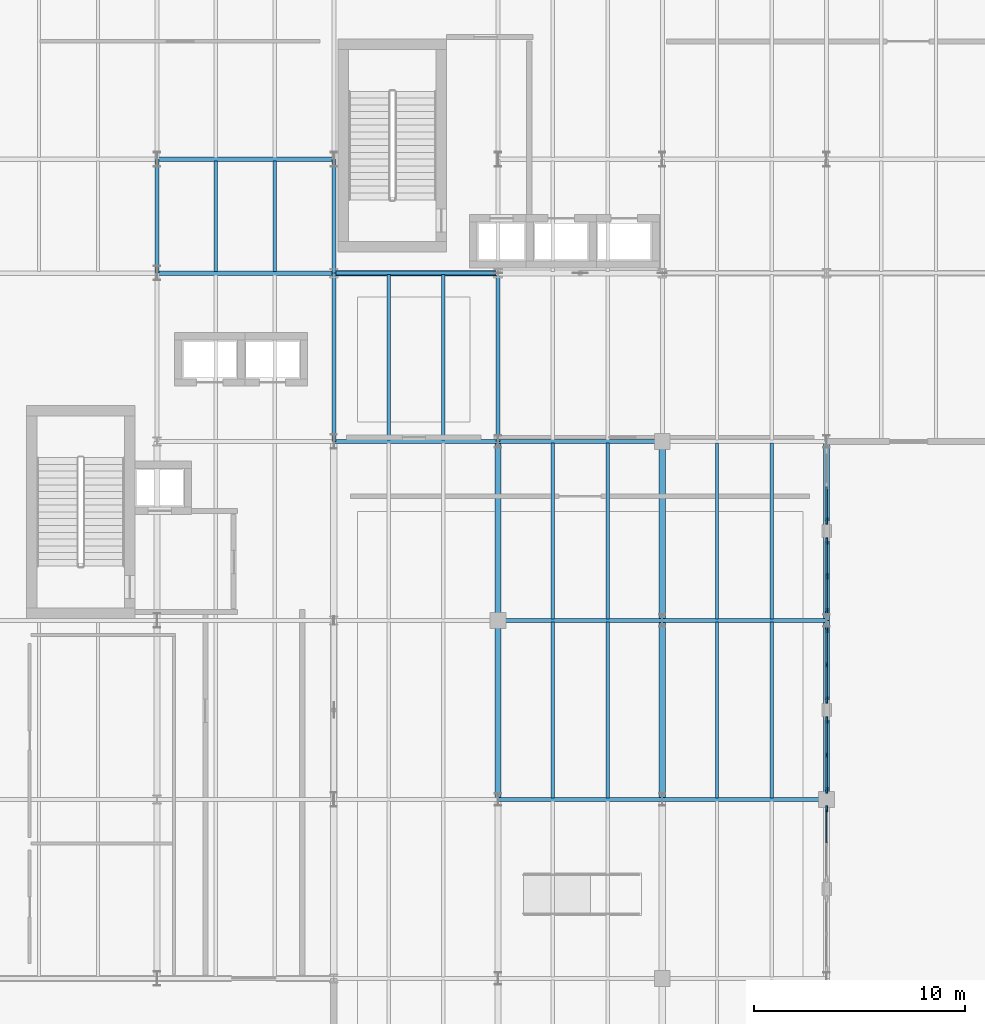
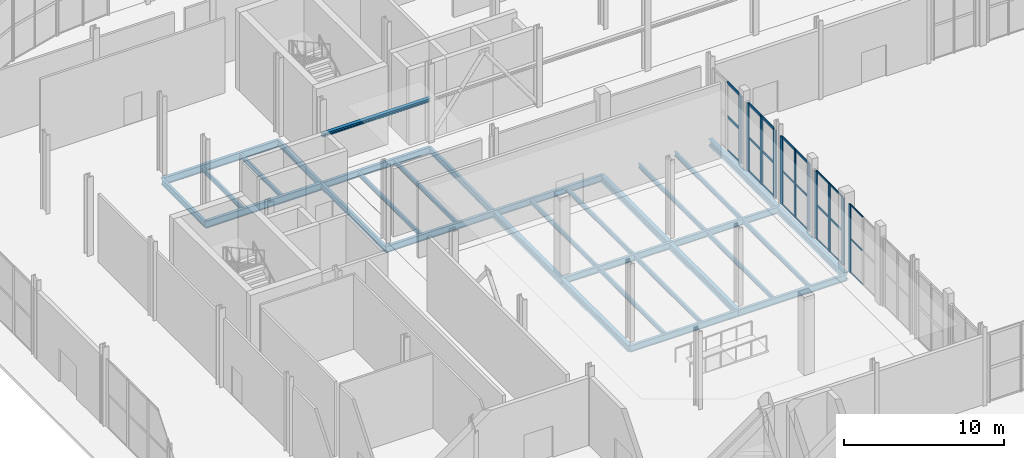
# One storey, part 31 of 84: 35 members, 32 beams, 5 elements without a shape of their own.
"""IFC4 building model written with IfcOpenShell, lengths in metres."""

from ifc_helpers import new_model, si_unit, direction, frame, origin, origin_2d, place, context, subcontext, project, spatial, rectangle, i_section, extrude, material, layer, layer_set, material_profile, profile_set, type_object, element, aggregate, save


model = new_model("IFC4")

# Units and contexts
model_context = context("Model", 3, precision=1e-05, world=origin(), true_north=direction((0.0, 1.0)))
body_context = subcontext(model_context, "Body", "Model", "MODEL_VIEW")
ifc_project = project(units=[si_unit("LENGTHUNIT", "METRE"), si_unit("AREAUNIT", "SQUARE_METRE"), si_unit("VOLUMEUNIT", "CUBIC_METRE"), si_unit("PLANEANGLEUNIT", "RADIAN"), si_unit("MASSUNIT", "GRAM", prefix="KILO")], contexts=[model_context])

# Site, building, storey
site_placement = place(None, origin())
site = spatial("IfcSite", under=ifc_project, at=site_placement, CompositionType="ELEMENT")
building_placement = place(site_placement, origin())
building = spatial("IfcBuilding", under=site, at=building_placement, Name="Sefraquen Railside Congress Hotel", CompositionType="ELEMENT")
storey_placement = place(building_placement, origin())
storey = spatial("IfcBuildingStorey", under=building, at=storey_placement, Name="L00", CompositionType="ELEMENT", Elevation=0.0)

# Beams
ifc_material_1 = material(Name="Steel S355JR", Category="steel")
ifc_material_profile_1 = material_profile(ifc_material_1, i_section(OverallWidth=0.18994140625, OverallDepth=0.449951171875, WebThickness=0.009521484375, FlangeThickness=0.0146484375, FilletRadius=0.02099609375, at=origin_2d()), Name="IPE 450")
ifc_profile_set_1 = profile_set([ifc_material_profile_1], Name="Steel S355JR")
beam_type_1 = type_object("IfcBeamType", Name="TB-BM-450", PredefinedType="BEAM", material=ifc_profile_set_1)
beam_1_placement = place(storey_placement, frame((16.800048828125, 96.0, -0.625), z_axis=(0.0, 1.0, 0.0), x_axis=(-1.0, 0.0, 0.0)))
element("IfcBeam", 1, at=beam_1_placement, inside=storey, type_object=beam_type_1, Name="Floor beam BM-L00-0186", PredefinedType="BEAM", context=body_context, shape_type="SweptSolid", body=[
    extrude(i_section(OverallWidth=0.18994140625, OverallDepth=0.449951171875, WebThickness=0.009521484375, FlangeThickness=0.0146484375, FilletRadius=0.02099609375, at=origin_2d()), origin(), (0.0, 0.0, 1.0), 5.39990234375),
])
beam_2_placement = place(storey_placement, frame((25.199951171875, 88.0, -0.625), z_axis=(0.0, 1.0, 0.0), x_axis=(-1.0, 0.0, 0.0)))
element("IfcBeam", 2, at=beam_2_placement, inside=storey, type_object=beam_type_1, Name="Floor beam BM-L00-0197", PredefinedType="BEAM", context=body_context, shape_type="SweptSolid", body=[
    extrude(i_section(OverallWidth=0.18994140625, OverallDepth=0.449951171875, WebThickness=0.009521484375, FlangeThickness=0.0146484375, FilletRadius=0.02099609375, at=origin_2d()), origin(), (0.0, 0.0, 1.0), 8.0),
])
beam_3_placement = place(storey_placement, frame((25.199951171875, 96.0, -0.625), z_axis=(0.0, 1.0, 0.0), x_axis=(-1.0, 0.0, 0.0)))
element("IfcBeam", 3, at=beam_3_placement, inside=storey, type_object=beam_type_1, Name="Floor beam BM-L00-0198", PredefinedType="BEAM", context=body_context, shape_type="SweptSolid", body=[
    extrude(i_section(OverallWidth=0.18994140625, OverallDepth=0.449951171875, WebThickness=0.009521484375, FlangeThickness=0.0146484375, FilletRadius=0.02099609375, at=origin_2d()), origin(), (0.0, 0.0, 1.0), 5.39990234375),
])
beam_4_placement = place(storey_placement, frame((33.0, 88.0, -0.625), z_axis=(0.0, 1.0, 0.0), x_axis=(-1.0, 0.0, 0.0)))
element("IfcBeam", 4, at=beam_4_placement, inside=storey, type_object=beam_type_1, Name="Floor beam BM-L00-0210", PredefinedType="BEAM", context=body_context, shape_type="SweptSolid", body=[
    extrude(i_section(OverallWidth=0.18994140625, OverallDepth=0.449951171875, WebThickness=0.009521484375, FlangeThickness=0.0146484375, FilletRadius=0.02099609375, at=origin_2d()), origin(), (0.0, 0.0, 1.0), 8.0),
])
ifc_material_profile_2 = material_profile(ifc_material_1, i_section(OverallWidth=0.199951171875, OverallDepth=0.5, WebThickness=0.01025390625, FlangeThickness=0.01611328125, FilletRadius=0.02099609375, at=origin_2d()), Name="IPE 500")
ifc_profile_set_2 = profile_set([ifc_material_profile_2], Name="Steel S355JR")
beam_type_2 = type_object("IfcBeamType", Name="TB-BM-500", PredefinedType="BEAM", material=ifc_profile_set_2)
for number, where, z_axis, x_axis, name in (
    (5, (33.0, 71.0, -0.64990234375), (1.0, 0.0, 0.0), (0.0, 1.0, 0.0), "Primary girder BM-L00-0086"),
    (6, (40.800048828125, 71.0, -0.64990234375), (1.0, 0.0, 0.0), (0.0, 1.0, 0.0), "Primary girder BM-L00-0087"),
    (7, (33.0, 79.5, -0.64990234375), (1.0, 0.0, 0.0), (0.0, 1.0, 0.0), "Primary girder BM-L00-0094"),
    (8, (40.800048828125, 79.5, -0.64990234375), (1.0, 0.0, 0.0), (0.0, 1.0, 0.0), "Primary girder BM-L00-0095"),
    (9, (25.199951171875, 88.0, -0.64990234375), (1.0, 0.0, 0.0), (0.0, 1.0, 0.0), "Primary girder BM-L00-0101"),
    (10, (33.0, 88.0, -0.64990234375), (1.0, 0.0, 0.0), (0.0, 1.0, 0.0), "Primary girder BM-L00-0102"),
    (11, (25.199951171875, 96.0, -0.64990234375), (1.0, 0.0, 0.0), (0.0, 1.0, 0.0), "Primary girder BM-L00-0117"),
):
    element("IfcBeam", number, at=place(storey_placement, frame(where, z_axis=z_axis, x_axis=x_axis)), inside=storey, type_object=beam_type_2, Name=name, PredefinedType="BEAM", context=body_context, shape_type="SweptSolid", body=[
        extrude(i_section(OverallWidth=0.199951171875, OverallDepth=0.5, WebThickness=0.01025390625, FlangeThickness=0.01611328125, FilletRadius=0.02099609375, at=origin_2d()), origin(), (0.0, 0.0, 1.0), 7.800048828125),
    ])
ifc_material_profile_3 = material_profile(ifc_material_1, i_section(OverallWidth=0.300048828125, OverallDepth=0.489990234375, WebThickness=0.011962890625, FlangeThickness=0.02294921875, FilletRadius=0.027099609375, at=origin_2d()), Name="HEA 500")
ifc_profile_set_3 = profile_set([ifc_material_profile_3], Name="Steel S355JR")
beam_type_3 = type_object("IfcBeamType", Name="TB-GIR-500", PredefinedType="T_BEAM", material=ifc_profile_set_3)
for number, where, z_axis, x_axis, name in (
    (12, (33.0, 71.0, -0.64501953125), (0.0, 1.0, 0.0), (-1.0, 0.0, 0.0), "Floor beam BM-L00-0208"),
    (13, (33.0, 79.5, -0.64501953125), (0.0, 1.0, 0.0), (-1.0, 0.0, 0.0), "Floor beam BM-L00-0209"),
    (14, (40.800048828125, 71.0, -0.64501953125), (0.0, 1.0, 0.0), (-1.0, 0.0, 0.0), "Floor beam BM-L00-0221"),
    (15, (40.800048828125, 79.5, -0.64501953125), (0.0, 1.0, 0.0), (-1.0, 0.0, 0.0), "Floor beam BM-L00-0222"),
    (16, (48.60009765625, 71.0, -0.64501953125), (0.0, 1.0, 0.0), (-1.0, 0.0, 0.0), "Floor beam BM-L00-0230"),
    (17, (48.60009765625, 79.5, -0.64501953125), (0.0, 1.0, 0.0), (-1.0, 0.0, 0.0), "Floor beam BM-L00-0231"),
):
    element("IfcBeam", number, at=place(storey_placement, frame(where, z_axis=z_axis, x_axis=x_axis)), inside=storey, type_object=beam_type_3, Name=name, PredefinedType="T_BEAM", context=body_context, shape_type="SweptSolid", body=[
        extrude(i_section(OverallWidth=0.300048828125, OverallDepth=0.489990234375, WebThickness=0.011962890625, FlangeThickness=0.02294921875, FilletRadius=0.027099609375, at=origin_2d()), origin(), (0.0, 0.0, 1.0), 8.5),
    ])
ifc_material_profile_4 = material_profile(ifc_material_1, i_section(OverallWidth=0.2099609375, OverallDepth=0.550048828125, WebThickness=0.010986328125, FlangeThickness=0.01708984375, FilletRadius=0.02392578125, at=origin_2d()), Name="IPE 550")
ifc_profile_set_4 = profile_set([ifc_material_profile_4], Name="Steel S355JR")
beam_type_4 = type_object("IfcBeamType", Name="TB-GIR-550", PredefinedType="T_BEAM", material=ifc_profile_set_4)
for number, where, z_axis, x_axis, name in (
    (18, (16.800048828125, 96.0, -0.675048828125), (1.0, 0.0, 0.0), (0.0, 1.0, 0.0), "Primary girder BM-L00-0116"),
    (19, (16.800048828125, 101.39990234375, -0.675048828125), (1.0, 0.0, 0.0), (0.0, 1.0, 0.0), "Primary girder BM-L00-0136"),
):
    element("IfcBeam", number, at=place(storey_placement, frame(where, z_axis=z_axis, x_axis=x_axis)), inside=storey, type_object=beam_type_4, Name=name, PredefinedType="T_BEAM", context=body_context, shape_type="SweptSolid", body=[
        extrude(i_section(OverallWidth=0.2099609375, OverallDepth=0.550048828125, WebThickness=0.010986328125, FlangeThickness=0.01708984375, FilletRadius=0.02392578125, at=origin_2d()), origin(), (0.0, 0.0, 1.0), 8.39990234375),
    ])
ifc_material_profile_5 = material_profile(ifc_material_1, i_section(OverallWidth=0.159912109375, OverallDepth=0.330078125, WebThickness=0.007568359375, FlangeThickness=0.011474609375, FilletRadius=0.01806640625, at=origin_2d()), Name="IPE 330")
ifc_profile_set_5 = profile_set([ifc_material_profile_5], Name="Steel S355JR")
beam_type_5 = type_object("IfcBeamType", Name="TB-JST-330", PredefinedType="JOIST", material=ifc_profile_set_5)
for number, where, z_axis, x_axis, name in (
    (20, (19.60009765625, 96.0849609375, -0.56494140625), (0.0, 1.0, 0.0), (-1.0, 0.0, 0.0), "Composite floor joist BM-L00-J0023"),
    (21, (22.39990234375, 96.0849609375, -0.56494140625), (0.0, 1.0, 0.0), (-1.0, 0.0, 0.0), "Composite floor joist BM-L00-J0024"),
):
    element("IfcBeam", number, at=place(storey_placement, frame(where, z_axis=z_axis, x_axis=x_axis)), inside=storey, type_object=beam_type_5, Name=name, PredefinedType="JOIST", context=body_context, shape_type="SweptSolid", body=[
        extrude(i_section(OverallWidth=0.159912109375, OverallDepth=0.330078125, WebThickness=0.007568359375, FlangeThickness=0.011474609375, FilletRadius=0.01806640625, at=origin_2d()), origin(), (0.0, 0.0, 1.0), 5.22998046875),
    ])
for number, where, z_axis, x_axis, name in (
    (22, (27.800048828125, 88.080078125, -0.56494140625), (0.0, 1.0, 0.0), (-1.0, 0.0, 0.0), "Composite floor joist BM-L00-J0040"),
    (23, (30.39990234375, 88.080078125, -0.56494140625), (0.0, 1.0, 0.0), (-1.0, 0.0, 0.0), "Composite floor joist BM-L00-J0041"),
):
    element("IfcBeam", number, at=place(storey_placement, frame(where, z_axis=z_axis, x_axis=x_axis)), inside=storey, type_object=beam_type_5, Name=name, PredefinedType="JOIST", context=body_context, shape_type="SweptSolid", body=[
        extrude(i_section(OverallWidth=0.159912109375, OverallDepth=0.330078125, WebThickness=0.007568359375, FlangeThickness=0.011474609375, FilletRadius=0.01806640625, at=origin_2d()), origin(), (0.0, 0.0, 1.0), 7.83984375),
    ])
for number, where, z_axis, x_axis, name in (
    (24, (35.60009765625, 71.080078125, -0.56494140625), (0.0, 1.0, 0.0), (-1.0, 0.0, 0.0), "Composite floor joist BM-L00-J0058"),
    (25, (38.199951171875, 71.080078125, -0.56494140625), (0.0, 1.0, 0.0), (-1.0, 0.0, 0.0), "Composite floor joist BM-L00-J0059"),
    (26, (35.60009765625, 79.580078125, -0.56494140625), (0.0, 1.0, 0.0), (-1.0, 0.0, 0.0), "Composite floor joist BM-L00-J0060"),
    (27, (38.199951171875, 79.580078125, -0.56494140625), (0.0, 1.0, 0.0), (-1.0, 0.0, 0.0), "Composite floor joist BM-L00-J0061"),
    (28, (43.39990234375, 71.080078125, -0.56494140625), (0.0, 1.0, 0.0), (-1.0, 0.0, 0.0), "Composite floor joist BM-L00-J0076"),
    (29, (46.0, 71.080078125, -0.56494140625), (0.0, 1.0, 0.0), (-1.0, 0.0, 0.0), "Composite floor joist BM-L00-J0077"),
    (30, (43.39990234375, 79.580078125, -0.56494140625), (0.0, 1.0, 0.0), (-1.0, 0.0, 0.0), "Composite floor joist BM-L00-J0078"),
    (31, (46.0, 79.580078125, -0.56494140625), (0.0, 1.0, 0.0), (-1.0, 0.0, 0.0), "Composite floor joist BM-L00-J0079"),
):
    element("IfcBeam", number, at=place(storey_placement, frame(where, z_axis=z_axis, x_axis=x_axis)), inside=storey, type_object=beam_type_5, Name=name, PredefinedType="JOIST", context=body_context, shape_type="SweptSolid", body=[
        extrude(i_section(OverallWidth=0.159912109375, OverallDepth=0.330078125, WebThickness=0.007568359375, FlangeThickness=0.011474609375, FilletRadius=0.01806640625, at=origin_2d()), origin(), (0.0, 0.0, 1.0), 8.33984375),
    ])
ifc_material_profile_6 = material_profile(ifc_material_1, i_section(OverallWidth=0.260009765625, OverallDepth=0.25, WebThickness=0.007568359375, FlangeThickness=0.012451171875, FilletRadius=0.02392578125, at=origin_2d()), Name="HEA 260")
ifc_profile_set_6 = profile_set([ifc_material_profile_6], Name="Steel S355JR")
beam_type_6 = type_object("IfcBeamType", Name="TB-LNT-260", PredefinedType="LINTEL", material=ifc_profile_set_6)
beam_5_placement = place(storey_placement, frame((25.199951171875, 96.0, 3.199951171875), z_axis=(1.0, 0.0, 0.0), x_axis=(0.0, 1.0, 0.0)))
element("IfcBeam", 32, at=beam_5_placement, inside=storey, type_object=beam_type_6, Name="Portal opening lintel beam 01", PredefinedType="LINTEL", context=body_context, shape_type="SweptSolid", body=[
    extrude(i_section(OverallWidth=0.260009765625, OverallDepth=0.25, WebThickness=0.007568359375, FlangeThickness=0.012451171875, FilletRadius=0.02392578125, at=origin_2d()), origin(), (0.0, 0.0, 1.0), 7.800048828125),
])

# Curtain wall, member
ifc_material_2 = material(Name="Thermally broken anodised aluminium and low-E double glazing", Category="aluminium")
ifc_layer_1 = layer(ifc_material_2, 0.199951171875)
ifc_layer_set_1 = layer_set([ifc_layer_1], Name="Thermally broken anodised aluminium and low-E double glazing")
curtain_wall_type_1 = type_object("IfcCurtainWallType", Name="TCW-UCW-19", PredefinedType="USERDEFINED", material=ifc_layer_set_1)
curtain_wall_1_placement = place(storey_placement, origin())
curtain_wall_1 = element("IfcCurtainWall", 33, at=curtain_wall_1_placement, inside=storey, type_object=curtain_wall_type_1, Name="Courtyard west arcade curtain wall UCW-19", ObjectType="UNITISED CURTAIN WALL", PredefinedType="USERDEFINED")
ifc_material_3 = material(Name="Thermally broken anodised aluminium 6063-T6", Category="aluminium")
ifc_material_profile_7 = material_profile(ifc_material_3, rectangle(XDim=0.080078125, YDim=0.239990234375, at=origin_2d()), Name="CWM 80x240")
ifc_profile_set_7 = profile_set([ifc_material_profile_7], Name="Thermally broken anodised aluminium 6063-T6")
member_type_1 = type_object("IfcMemberType", Name="TM-CWM-05", PredefinedType="MULLION", material=ifc_profile_set_7)
member_1_placement = place(storey_placement, frame((48.60009765625, 73.10498046875, 0.0), z_axis=(0.0, 0.0, 1.0), x_axis=(1.0, 0.0, 0.0)))
member_1 = element("IfcMember", 34, at=member_1_placement, type_object=member_type_1, Name="CW-L00-019 mullion 2", PredefinedType="MULLION", context=body_context, shape_type="SweptSolid", body=[
    extrude(rectangle(XDim=0.080078125, YDim=0.239990234375, at=origin_2d()), origin(), (0.0, 0.0, 1.0), 5.14990234375),
])

curtain_wall_2_placement = place(storey_placement, origin())
curtain_wall_2 = element("IfcCurtainWall", 35, at=curtain_wall_2_placement, inside=storey, type_object=curtain_wall_type_1, Name="Courtyard west arcade curtain wall UCW-19 bay 2", ObjectType="UNITISED CURTAIN WALL", PredefinedType="USERDEFINED")
member_2_placement = place(storey_placement, frame((48.60009765625, 77.39501953125, 0.0), z_axis=(0.0, 0.0, 1.0), x_axis=(1.0, 0.0, 0.0)))
member_2 = element("IfcMember", 36, at=member_2_placement, type_object=member_type_1, Name="CW-L00-019-S2 mullion 2", PredefinedType="MULLION", context=body_context, shape_type="SweptSolid", body=[
    extrude(rectangle(XDim=0.080078125, YDim=0.239990234375, at=origin_2d()), origin(), (0.0, 0.0, 1.0), 5.14990234375),
])

ifc_layer_2 = layer(ifc_material_2, 0.199951171875)
ifc_layer_set_2 = layer_set([ifc_layer_2], Name="Thermally broken anodised aluminium and low-E double glazing")
curtain_wall_type_2 = type_object("IfcCurtainWallType", Name="TCW-UCW-21", PredefinedType="USERDEFINED", material=ifc_layer_set_2)
curtain_wall_3_placement = place(storey_placement, origin())
curtain_wall_3 = element("IfcCurtainWall", 37, at=curtain_wall_3_placement, inside=storey, type_object=curtain_wall_type_2, Name="Courtyard west arcade curtain wall UCW-21", ObjectType="UNITISED CURTAIN WALL", PredefinedType="USERDEFINED")
ifc_material_profile_8 = material_profile(ifc_material_3, rectangle(XDim=0.090087890625, YDim=0.280029296875, at=origin_2d()), Name="CWM 90x280")
ifc_profile_set_8 = profile_set([ifc_material_profile_8], Name="Thermally broken anodised aluminium 6063-T6")
member_type_2 = type_object("IfcMemberType", Name="TM-CWM-07", PredefinedType="MULLION", material=ifc_profile_set_8)
member_3_placement = place(storey_placement, frame((48.60009765625, 81.60498046875, 0.0), z_axis=(0.0, 0.0, 1.0), x_axis=(1.0, 0.0, 0.0)))
member_3 = element("IfcMember", 38, at=member_3_placement, type_object=member_type_2, Name="CW-L00-021 mullion 2", PredefinedType="MULLION", context=body_context, shape_type="SweptSolid", body=[
    extrude(rectangle(XDim=0.090087890625, YDim=0.280029296875, at=origin_2d()), origin(), (0.0, 0.0, 1.0), 5.14990234375),
])

ifc_layer_3 = layer(ifc_material_2, 0.199951171875)
ifc_layer_set_3 = layer_set([ifc_layer_3], Name="Thermally broken anodised aluminium and low-E double glazing")
curtain_wall_type_3 = type_object("IfcCurtainWallType", Name="TCW-UCW-17", PredefinedType="USERDEFINED", material=ifc_layer_set_3)
curtain_wall_4_placement = place(storey_placement, origin())
curtain_wall_4 = element("IfcCurtainWall", 39, at=curtain_wall_4_placement, inside=storey, type_object=curtain_wall_type_3, Name="Courtyard west arcade curtain wall UCW-17 bay 2", ObjectType="UNITISED CURTAIN WALL", PredefinedType="USERDEFINED")
ifc_material_profile_9 = material_profile(ifc_material_3, rectangle(XDim=0.094970703125, YDim=0.300048828125, at=origin_2d()), Name="CWM 95x300")
ifc_profile_set_9 = profile_set([ifc_material_profile_9], Name="Thermally broken anodised aluminium 6063-T6")
member_type_3 = type_object("IfcMemberType", Name="TM-CWM-08", PredefinedType="MULLION", material=ifc_profile_set_9)
member_4_placement = place(storey_placement, frame((48.60009765625, 70.56005859375, 0.0), z_axis=(0.0, 0.0, 1.0), x_axis=(1.0, 0.0, 0.0)))
member_4 = element("IfcMember", 40, at=member_4_placement, type_object=member_type_3, Name="CW-L00-017-S2 mullion 3", PredefinedType="MULLION", context=body_context, shape_type="SweptSolid", body=[
    extrude(rectangle(XDim=0.094970703125, YDim=0.300048828125, at=origin_2d()), origin(), (0.0, 0.0, 1.0), 5.14990234375),
])

# Member
member_5_placement = place(storey_placement, frame((48.60009765625, 71.43994140625, 0.0), z_axis=(0.0, 0.0, 1.0), x_axis=(1.0, 0.0, 0.0)))
member_5 = element("IfcMember", 41, at=member_5_placement, type_object=member_type_3, Name="CW-L00-019 mullion 1", PredefinedType="MULLION", context=body_context, shape_type="SweptSolid", body=[
    extrude(rectangle(XDim=0.094970703125, YDim=0.300048828125, at=origin_2d()), origin(), (0.0, 0.0, 1.0), 5.14990234375),
])

member_6_placement = place(storey_placement, frame((48.60009765625, 74.77001953125, 0.0), z_axis=(0.0, 0.0, 1.0), x_axis=(1.0, 0.0, 0.0)))
member_6 = element("IfcMember", 42, at=member_6_placement, type_object=member_type_3, Name="CW-L00-019 mullion 3", PredefinedType="MULLION", context=body_context, shape_type="SweptSolid", body=[
    extrude(rectangle(XDim=0.094970703125, YDim=0.300048828125, at=origin_2d()), origin(), (0.0, 0.0, 1.0), 5.14990234375),
])

member_7_placement = place(storey_placement, frame((48.60009765625, 75.72998046875, 0.0), z_axis=(0.0, 0.0, 1.0), x_axis=(1.0, 0.0, 0.0)))
member_7 = element("IfcMember", 43, at=member_7_placement, type_object=member_type_3, Name="CW-L00-019-S2 mullion 1", PredefinedType="MULLION", context=body_context, shape_type="SweptSolid", body=[
    extrude(rectangle(XDim=0.094970703125, YDim=0.300048828125, at=origin_2d()), origin(), (0.0, 0.0, 1.0), 5.14990234375),
])

member_8_placement = place(storey_placement, frame((48.60009765625, 79.06005859375, 0.0), z_axis=(0.0, 0.0, 1.0), x_axis=(1.0, 0.0, 0.0)))
member_8 = element("IfcMember", 44, at=member_8_placement, type_object=member_type_3, Name="CW-L00-019-S2 mullion 3", PredefinedType="MULLION", context=body_context, shape_type="SweptSolid", body=[
    extrude(rectangle(XDim=0.094970703125, YDim=0.300048828125, at=origin_2d()), origin(), (0.0, 0.0, 1.0), 5.14990234375),
])

member_9_placement = place(storey_placement, frame((48.60009765625, 79.93994140625, 0.0), z_axis=(0.0, 0.0, 1.0), x_axis=(1.0, 0.0, 0.0)))
member_9 = element("IfcMember", 45, at=member_9_placement, type_object=member_type_3, Name="CW-L00-021 mullion 1", PredefinedType="MULLION", context=body_context, shape_type="SweptSolid", body=[
    extrude(rectangle(XDim=0.094970703125, YDim=0.300048828125, at=origin_2d()), origin(), (0.0, 0.0, 1.0), 5.14990234375),
])

member_10_placement = place(storey_placement, frame((48.60009765625, 83.27001953125, 0.0), z_axis=(0.0, 0.0, 1.0), x_axis=(1.0, 0.0, 0.0)))
member_10 = element("IfcMember", 46, at=member_10_placement, type_object=member_type_3, Name="CW-L00-021 mullion 3", PredefinedType="MULLION", context=body_context, shape_type="SweptSolid", body=[
    extrude(rectangle(XDim=0.094970703125, YDim=0.300048828125, at=origin_2d()), origin(), (0.0, 0.0, 1.0), 5.14990234375),
])

# Curtain wall, member
curtain_wall_5_placement = place(storey_placement, origin())
curtain_wall_5 = element("IfcCurtainWall", 47, at=curtain_wall_5_placement, inside=storey, type_object=curtain_wall_type_2, Name="Courtyard west arcade curtain wall UCW-21 bay 2", ObjectType="UNITISED CURTAIN WALL", PredefinedType="USERDEFINED")
member_11_placement = place(storey_placement, frame((48.60009765625, 84.22998046875, 0.0), z_axis=(0.0, 0.0, 1.0), x_axis=(1.0, 0.0, 0.0)))
member_11 = element("IfcMember", 48, at=member_11_placement, type_object=member_type_3, Name="CW-L00-021-S2 mullion 1", PredefinedType="MULLION", context=body_context, shape_type="SweptSolid", body=[
    extrude(rectangle(XDim=0.094970703125, YDim=0.300048828125, at=origin_2d()), origin(), (0.0, 0.0, 1.0), 5.14990234375),
])

# Member
ifc_material_profile_10 = material_profile(ifc_material_3, rectangle(XDim=0.06005859375, YDim=0.1201171875, at=origin_2d()), Name="CWT 60x120")
ifc_profile_set_10 = profile_set([ifc_material_profile_10], Name="Thermally broken anodised aluminium 6063-T6")
member_type_4 = type_object("IfcMemberType", Name="TM-CWT-01", PredefinedType="USERDEFINED", material=ifc_profile_set_10)
member_12_placement = place(storey_placement, frame((48.60009765625, 68.93994140625, 0.0), z_axis=(0.0, 1.0, 0.0), x_axis=(-1.0, 0.0, 0.0)))
member_12 = element("IfcMember", 49, at=member_12_placement, type_object=member_type_4, Name="CW-L00-017-S2 transom 1.2", ObjectType="TRANSOM", PredefinedType="USERDEFINED", context=body_context, shape_type="SweptSolid", body=[
    extrude(rectangle(XDim=0.06005859375, YDim=0.1201171875, at=origin_2d()), origin(), (0.0, 0.0, 1.0), 1.574951171875),
])

member_13_placement = place(storey_placement, frame((48.60009765625, 68.93994140625, 2.574951171875), z_axis=(0.0, 1.0, 0.0), x_axis=(-1.0, 0.0, 0.0)))
member_13 = element("IfcMember", 50, at=member_13_placement, type_object=member_type_4, Name="CW-L00-017-S2 transom 2.2", ObjectType="TRANSOM", PredefinedType="USERDEFINED", context=body_context, shape_type="SweptSolid", body=[
    extrude(rectangle(XDim=0.06005859375, YDim=0.1201171875, at=origin_2d()), origin(), (0.0, 0.0, 1.0), 1.574951171875),
])

member_14_placement = place(storey_placement, frame((48.60009765625, 68.93994140625, 5.14990234375), z_axis=(0.0, 1.0, 0.0), x_axis=(-1.0, 0.0, 0.0)))
member_14 = element("IfcMember", 51, at=member_14_placement, type_object=member_type_4, Name="CW-L00-017-S2 transom 3.2", ObjectType="TRANSOM", PredefinedType="USERDEFINED", context=body_context, shape_type="SweptSolid", body=[
    extrude(rectangle(XDim=0.06005859375, YDim=0.1201171875, at=origin_2d()), origin(), (0.0, 0.0, 1.0), 1.574951171875),
])

aggregate(curtain_wall_4, [member_4, member_12, member_13, member_14])

ifc_material_profile_11 = material_profile(ifc_material_3, rectangle(XDim=0.070068359375, YDim=0.14990234375, at=origin_2d()), Name="CWT 70x150")
ifc_profile_set_11 = profile_set([ifc_material_profile_11], Name="Thermally broken anodised aluminium 6063-T6")
member_type_5 = type_object("IfcMemberType", Name="TM-CWT-03", PredefinedType="USERDEFINED", material=ifc_profile_set_11)
member_15_placement = place(storey_placement, frame((48.60009765625, 71.485107421875, 0.0), z_axis=(0.0, 1.0, 0.0), x_axis=(-1.0, 0.0, 0.0)))
member_15 = element("IfcMember", 52, at=member_15_placement, type_object=member_type_5, Name="CW-L00-019 transom 1.1", ObjectType="TRANSOM", PredefinedType="USERDEFINED", context=body_context, shape_type="SweptSolid", body=[
    extrude(rectangle(XDim=0.070068359375, YDim=0.14990234375, at=origin_2d()), origin(), (0.0, 0.0, 1.0), 1.574951171875),
])

member_16_placement = place(storey_placement, frame((48.60009765625, 73.14990234375, 0.0), z_axis=(0.0, 1.0, 0.0), x_axis=(-1.0, 0.0, 0.0)))
member_16 = element("IfcMember", 53, at=member_16_placement, type_object=member_type_5, Name="CW-L00-019 transom 1.2", ObjectType="TRANSOM", PredefinedType="USERDEFINED", context=body_context, shape_type="SweptSolid", body=[
    extrude(rectangle(XDim=0.070068359375, YDim=0.14990234375, at=origin_2d()), origin(), (0.0, 0.0, 1.0), 1.5751953125),
])

member_17_placement = place(storey_placement, frame((48.60009765625, 71.485107421875, 2.574951171875), z_axis=(0.0, 1.0, 0.0), x_axis=(-1.0, 0.0, 0.0)))
member_17 = element("IfcMember", 54, at=member_17_placement, type_object=member_type_5, Name="CW-L00-019 transom 2.1", ObjectType="TRANSOM", PredefinedType="USERDEFINED", context=body_context, shape_type="SweptSolid", body=[
    extrude(rectangle(XDim=0.070068359375, YDim=0.14990234375, at=origin_2d()), origin(), (0.0, 0.0, 1.0), 1.574951171875),
])

member_18_placement = place(storey_placement, frame((48.60009765625, 73.14990234375, 2.574951171875), z_axis=(0.0, 1.0, 0.0), x_axis=(-1.0, 0.0, 0.0)))
member_18 = element("IfcMember", 55, at=member_18_placement, type_object=member_type_5, Name="CW-L00-019 transom 2.2", ObjectType="TRANSOM", PredefinedType="USERDEFINED", context=body_context, shape_type="SweptSolid", body=[
    extrude(rectangle(XDim=0.070068359375, YDim=0.14990234375, at=origin_2d()), origin(), (0.0, 0.0, 1.0), 1.5751953125),
])

member_19_placement = place(storey_placement, frame((48.60009765625, 71.485107421875, 5.14990234375), z_axis=(0.0, 1.0, 0.0), x_axis=(-1.0, 0.0, 0.0)))
member_19 = element("IfcMember", 56, at=member_19_placement, type_object=member_type_5, Name="CW-L00-019 transom 3.1", ObjectType="TRANSOM", PredefinedType="USERDEFINED", context=body_context, shape_type="SweptSolid", body=[
    extrude(rectangle(XDim=0.070068359375, YDim=0.14990234375, at=origin_2d()), origin(), (0.0, 0.0, 1.0), 1.574951171875),
])

member_20_placement = place(storey_placement, frame((48.60009765625, 73.14990234375, 5.14990234375), z_axis=(0.0, 1.0, 0.0), x_axis=(-1.0, 0.0, 0.0)))
member_20 = element("IfcMember", 57, at=member_20_placement, type_object=member_type_5, Name="CW-L00-019 transom 3.2", ObjectType="TRANSOM", PredefinedType="USERDEFINED", context=body_context, shape_type="SweptSolid", body=[
    extrude(rectangle(XDim=0.070068359375, YDim=0.14990234375, at=origin_2d()), origin(), (0.0, 0.0, 1.0), 1.5751953125),
])

aggregate(curtain_wall_1, [member_5, member_1, member_6, member_15, member_16, member_17, member_18, member_19, member_20])

member_21_placement = place(storey_placement, frame((48.60009765625, 75.77490234375, 0.0), z_axis=(0.0, 1.0, 0.0), x_axis=(-1.0, 0.0, 0.0)))
member_21 = element("IfcMember", 58, at=member_21_placement, type_object=member_type_5, Name="CW-L00-019-S2 transom 1.1", ObjectType="TRANSOM", PredefinedType="USERDEFINED", context=body_context, shape_type="SweptSolid", body=[
    extrude(rectangle(XDim=0.070068359375, YDim=0.14990234375, at=origin_2d()), origin(), (0.0, 0.0, 1.0), 1.5751953125),
])

member_22_placement = place(storey_placement, frame((48.60009765625, 77.43994140625, 0.0), z_axis=(0.0, 1.0, 0.0), x_axis=(-1.0, 0.0, 0.0)))
member_22 = element("IfcMember", 59, at=member_22_placement, type_object=member_type_5, Name="CW-L00-019-S2 transom 1.2", ObjectType="TRANSOM", PredefinedType="USERDEFINED", context=body_context, shape_type="SweptSolid", body=[
    extrude(rectangle(XDim=0.070068359375, YDim=0.14990234375, at=origin_2d()), origin(), (0.0, 0.0, 1.0), 1.574951171875),
])

member_23_placement = place(storey_placement, frame((48.60009765625, 75.77490234375, 2.574951171875), z_axis=(0.0, 1.0, 0.0), x_axis=(-1.0, 0.0, 0.0)))
member_23 = element("IfcMember", 60, at=member_23_placement, type_object=member_type_5, Name="CW-L00-019-S2 transom 2.1", ObjectType="TRANSOM", PredefinedType="USERDEFINED", context=body_context, shape_type="SweptSolid", body=[
    extrude(rectangle(XDim=0.070068359375, YDim=0.14990234375, at=origin_2d()), origin(), (0.0, 0.0, 1.0), 1.5751953125),
])

member_24_placement = place(storey_placement, frame((48.60009765625, 77.43994140625, 2.574951171875), z_axis=(0.0, 1.0, 0.0), x_axis=(-1.0, 0.0, 0.0)))
member_24 = element("IfcMember", 61, at=member_24_placement, type_object=member_type_5, Name="CW-L00-019-S2 transom 2.2", ObjectType="TRANSOM", PredefinedType="USERDEFINED", context=body_context, shape_type="SweptSolid", body=[
    extrude(rectangle(XDim=0.070068359375, YDim=0.14990234375, at=origin_2d()), origin(), (0.0, 0.0, 1.0), 1.574951171875),
])

member_25_placement = place(storey_placement, frame((48.60009765625, 75.77490234375, 5.14990234375), z_axis=(0.0, 1.0, 0.0), x_axis=(-1.0, 0.0, 0.0)))
member_25 = element("IfcMember", 62, at=member_25_placement, type_object=member_type_5, Name="CW-L00-019-S2 transom 3.1", ObjectType="TRANSOM", PredefinedType="USERDEFINED", context=body_context, shape_type="SweptSolid", body=[
    extrude(rectangle(XDim=0.070068359375, YDim=0.14990234375, at=origin_2d()), origin(), (0.0, 0.0, 1.0), 1.5751953125),
])

member_26_placement = place(storey_placement, frame((48.60009765625, 77.43994140625, 5.14990234375), z_axis=(0.0, 1.0, 0.0), x_axis=(-1.0, 0.0, 0.0)))
member_26 = element("IfcMember", 63, at=member_26_placement, type_object=member_type_5, Name="CW-L00-019-S2 transom 3.2", ObjectType="TRANSOM", PredefinedType="USERDEFINED", context=body_context, shape_type="SweptSolid", body=[
    extrude(rectangle(XDim=0.070068359375, YDim=0.14990234375, at=origin_2d()), origin(), (0.0, 0.0, 1.0), 1.574951171875),
])

aggregate(curtain_wall_2, [member_7, member_2, member_8, member_21, member_22, member_23, member_24, member_25, member_26])

ifc_material_profile_12 = material_profile(ifc_material_3, rectangle(XDim=0.080078125, YDim=0.179931640625, at=origin_2d()), Name="CWT 80x180")
ifc_profile_set_12 = profile_set([ifc_material_profile_12], Name="Thermally broken anodised aluminium 6063-T6")
member_type_6 = type_object("IfcMemberType", Name="TM-CWT-05", PredefinedType="USERDEFINED", material=ifc_profile_set_12)
member_27_placement = place(storey_placement, frame((48.60009765625, 79.985107421875, 0.0), z_axis=(0.0, 1.0, 0.0), x_axis=(-1.0, 0.0, 0.0)))
member_27 = element("IfcMember", 64, at=member_27_placement, type_object=member_type_6, Name="CW-L00-021 transom 1.1", ObjectType="TRANSOM", PredefinedType="USERDEFINED", context=body_context, shape_type="SweptSolid", body=[
    extrude(rectangle(XDim=0.080078125, YDim=0.179931640625, at=origin_2d()), origin(), (0.0, 0.0, 1.0), 1.574951171875),
])

member_28_placement = place(storey_placement, frame((48.60009765625, 81.64990234375, 0.0), z_axis=(0.0, 1.0, 0.0), x_axis=(-1.0, 0.0, 0.0)))
member_28 = element("IfcMember", 65, at=member_28_placement, type_object=member_type_6, Name="CW-L00-021 transom 1.2", ObjectType="TRANSOM", PredefinedType="USERDEFINED", context=body_context, shape_type="SweptSolid", body=[
    extrude(rectangle(XDim=0.080078125, YDim=0.179931640625, at=origin_2d()), origin(), (0.0, 0.0, 1.0), 1.5751953125),
])

member_29_placement = place(storey_placement, frame((48.60009765625, 79.985107421875, 2.574951171875), z_axis=(0.0, 1.0, 0.0), x_axis=(-1.0, 0.0, 0.0)))
member_29 = element("IfcMember", 66, at=member_29_placement, type_object=member_type_6, Name="CW-L00-021 transom 2.1", ObjectType="TRANSOM", PredefinedType="USERDEFINED", context=body_context, shape_type="SweptSolid", body=[
    extrude(rectangle(XDim=0.080078125, YDim=0.179931640625, at=origin_2d()), origin(), (0.0, 0.0, 1.0), 1.574951171875),
])

member_30_placement = place(storey_placement, frame((48.60009765625, 81.64990234375, 2.574951171875), z_axis=(0.0, 1.0, 0.0), x_axis=(-1.0, 0.0, 0.0)))
member_30 = element("IfcMember", 67, at=member_30_placement, type_object=member_type_6, Name="CW-L00-021 transom 2.2", ObjectType="TRANSOM", PredefinedType="USERDEFINED", context=body_context, shape_type="SweptSolid", body=[
    extrude(rectangle(XDim=0.080078125, YDim=0.179931640625, at=origin_2d()), origin(), (0.0, 0.0, 1.0), 1.5751953125),
])

member_31_placement = place(storey_placement, frame((48.60009765625, 79.985107421875, 5.14990234375), z_axis=(0.0, 1.0, 0.0), x_axis=(-1.0, 0.0, 0.0)))
member_31 = element("IfcMember", 68, at=member_31_placement, type_object=member_type_6, Name="CW-L00-021 transom 3.1", ObjectType="TRANSOM", PredefinedType="USERDEFINED", context=body_context, shape_type="SweptSolid", body=[
    extrude(rectangle(XDim=0.080078125, YDim=0.179931640625, at=origin_2d()), origin(), (0.0, 0.0, 1.0), 1.574951171875),
])

member_32_placement = place(storey_placement, frame((48.60009765625, 81.64990234375, 5.14990234375), z_axis=(0.0, 1.0, 0.0), x_axis=(-1.0, 0.0, 0.0)))
member_32 = element("IfcMember", 69, at=member_32_placement, type_object=member_type_6, Name="CW-L00-021 transom 3.2", ObjectType="TRANSOM", PredefinedType="USERDEFINED", context=body_context, shape_type="SweptSolid", body=[
    extrude(rectangle(XDim=0.080078125, YDim=0.179931640625, at=origin_2d()), origin(), (0.0, 0.0, 1.0), 1.5751953125),
])

aggregate(curtain_wall_3, [member_9, member_3, member_10, member_27, member_28, member_29, member_30, member_31, member_32])

member_33_placement = place(storey_placement, frame((48.60009765625, 84.27490234375, 0.0), z_axis=(0.0, 1.0, 0.0), x_axis=(-1.0, 0.0, 0.0)))
member_33 = element("IfcMember", 70, at=member_33_placement, type_object=member_type_6, Name="CW-L00-021-S2 transom 1.1", ObjectType="TRANSOM", PredefinedType="USERDEFINED", context=body_context, shape_type="SweptSolid", body=[
    extrude(rectangle(XDim=0.080078125, YDim=0.179931640625, at=origin_2d()), origin(), (0.0, 0.0, 1.0), 1.5751953125),
])

member_34_placement = place(storey_placement, frame((48.60009765625, 84.27490234375, 2.574951171875), z_axis=(0.0, 1.0, 0.0), x_axis=(-1.0, 0.0, 0.0)))
member_34 = element("IfcMember", 71, at=member_34_placement, type_object=member_type_6, Name="CW-L00-021-S2 transom 2.1", ObjectType="TRANSOM", PredefinedType="USERDEFINED", context=body_context, shape_type="SweptSolid", body=[
    extrude(rectangle(XDim=0.080078125, YDim=0.179931640625, at=origin_2d()), origin(), (0.0, 0.0, 1.0), 1.5751953125),
])

member_35_placement = place(storey_placement, frame((48.60009765625, 84.27490234375, 5.14990234375), z_axis=(0.0, 1.0, 0.0), x_axis=(-1.0, 0.0, 0.0)))
member_35 = element("IfcMember", 72, at=member_35_placement, type_object=member_type_6, Name="CW-L00-021-S2 transom 3.1", ObjectType="TRANSOM", PredefinedType="USERDEFINED", context=body_context, shape_type="SweptSolid", body=[
    extrude(rectangle(XDim=0.080078125, YDim=0.179931640625, at=origin_2d()), origin(), (0.0, 0.0, 1.0), 1.5751953125),
])

aggregate(curtain_wall_5, [member_11, member_33, member_34, member_35])

save(model, "model.ifc")
